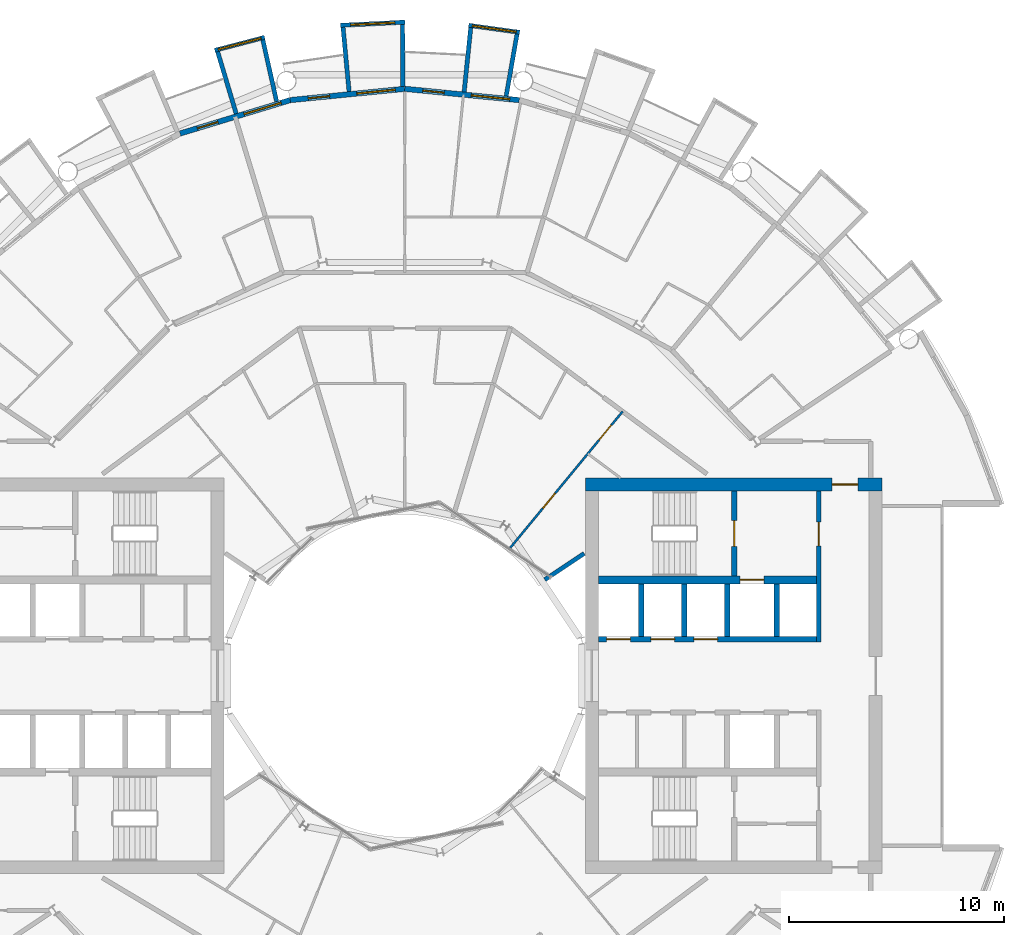
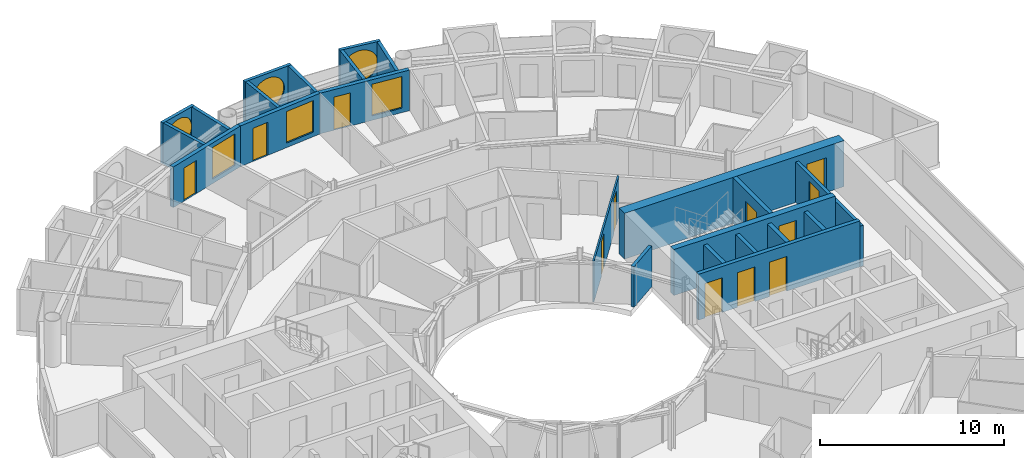
# One storey, part 21 of 27: 23 walls, 12 doors, 6 windows, 18 openings.
"""IFC4 building model written with IfcOpenShell, lengths in metres."""

from ifc_helpers import new_model, si_unit, direction, frame, frame_2d, origin, place, context, subcontext, project, spatial, rectangle, circle, extrude, material, layer, layer_set, type_object, element, fill, save


model = new_model("IFC4")

# Units and contexts
model_context = context("Model", 3, precision=1e-05, world=origin(), true_north=direction((0.0, 1.0)))
body_context = subcontext(model_context, "Body", "Model", "MODEL_VIEW")
ifc_project = project(units=[si_unit("LENGTHUNIT", "METRE"), si_unit("AREAUNIT", "SQUARE_METRE"), si_unit("VOLUMEUNIT", "CUBIC_METRE"), si_unit("PLANEANGLEUNIT", "RADIAN"), si_unit("MASSUNIT", "GRAM", prefix="KILO")], contexts=[model_context])

# Site, building, storey
site_placement = place(None, origin())
site = spatial("IfcSite", under=ifc_project, at=site_placement, CompositionType="ELEMENT")
building_placement = place(site_placement, origin())
building = spatial("IfcBuilding", under=site, at=building_placement, Name="Maasbend Ring Residences", CompositionType="ELEMENT")
storey_placement = place(building_placement, frame((0.0, 0.0, 117.75)))
storey = spatial("IfcBuildingStorey", under=building, at=storey_placement, Name="L33", CompositionType="ELEMENT", Elevation=117.75)

# Wall, openings, doors
ifc_material_1 = material(Name="Concrete C60/75", Category="concrete")
ifc_layer_1 = layer(ifc_material_1, 0.25)
ifc_layer_set_1 = layer_set([ifc_layer_1], Name="Concrete C60/75")
wall_type_1 = type_object("IfcWallType", Name="CORE WALL 250 C60/75", PredefinedType="SHEAR", material=ifc_layer_set_1)
wall_1_placement = place(storey_placement, frame((9.0, 1.699951171875, 0.0), z_axis=(0.0, 0.0, 1.0), x_axis=(1.0, 0.0, 0.0)))
wall_1 = element("IfcWall", 1, at=wall_1_placement, inside=storey, type_object=wall_type_1, Name="L33 core E wall SPN", PredefinedType="SHEAR", context=body_context, shape_type="SweptSolid", body=[
    extrude(rectangle(XDim=10.14990234375, YDim=0.25, at=frame_2d((5.074951171875, 0.0))), origin(), (0.0, 0.0, 1.0), 3.050048828125),
])
opening_1_placement = place(wall_1_placement, frame((0.387451171875, 0.0, 0.0)))
opening_1 = element("IfcOpeningElement", 2, at=opening_1_placement, cuts=wall_1, Name="Opening LD-E3301", PredefinedType="OPENING", context=body_context, shape_type="SweptSolid", body=[
    extrude(rectangle(XDim=1.10009765625, YDim=2.300048828125, at=frame_2d((0.550048828125, 1.14990234375))), frame((0.0, 0.135009765625, 0.0), z_axis=(0.0, -1.0, 0.0), x_axis=(1.0, 0.0, 0.0)), (0.0, 0.0, 1.0), 0.27001953125),
])
opening_2_placement = place(wall_1_placement, frame((2.449951171875, 0.0, 0.0)))
opening_2 = element("IfcOpeningElement", 3, at=opening_2_placement, cuts=wall_1, Name="Opening LD-E3302", PredefinedType="OPENING", context=body_context, shape_type="SweptSolid", body=[
    extrude(rectangle(XDim=1.10009765625, YDim=2.300048828125, at=frame_2d((0.550048828125, 1.14990234375))), frame((0.0, 0.135009765625, 0.0), z_axis=(0.0, -1.0, 0.0), x_axis=(1.0, 0.0, 0.0)), (0.0, 0.0, 1.0), 0.27001953125),
])
opening_3_placement = place(wall_1_placement, frame((4.449951171875, 0.0, 0.0)))
opening_3 = element("IfcOpeningElement", 4, at=opening_3_placement, cuts=wall_1, Name="Opening LD-E3303", PredefinedType="OPENING", context=body_context, shape_type="SweptSolid", body=[
    extrude(rectangle(XDim=1.10009765625, YDim=2.300048828125, at=frame_2d((0.550048828125, 1.14990234375))), frame((0.0, 0.135009765625, 0.0), z_axis=(0.0, -1.0, 0.0), x_axis=(1.0, 0.0, 0.0)), (0.0, 0.0, 1.0), 0.27001953125),
])
ifc_material_2 = material(Name="Stainless steel 316", Category="steel")
door_type_1 = type_object("IfcDoorType", Name="LANDING DOOR 1100 X 2300 FD60", OperationType="DOUBLE_DOOR_SLIDING", PredefinedType="DOOR", material=ifc_material_2)
door_1_placement = place(opening_1_placement, origin())
door_1 = element("IfcDoor", 5, at=door_1_placement, inside=storey, type_object=door_type_1, Name="Landing door LR-E1 L33", OperationType="DOUBLE_DOOR_SLIDING", OverallHeight=2.300048828125, OverallWidth=1.10009765625, PredefinedType="DOOR", context=body_context, shape_type="SweptSolid", body=[
    extrude(rectangle(XDim=1.10009765625, YDim=2.300048828125, at=frame_2d((0.550048828125, 1.14990234375))), frame((0.0, 0.02490234375, 0.0), z_axis=(0.0, -1.0, 0.0), x_axis=(1.0, 0.0, 0.0)), (0.0, 0.0, 1.0), 0.050048828125),
])
fill(opening_1, door_1)
door_2_placement = place(opening_2_placement, origin())
door_2 = element("IfcDoor", 6, at=door_2_placement, inside=storey, type_object=door_type_1, Name="Landing door LR-E2 L33", OperationType="DOUBLE_DOOR_SLIDING", OverallHeight=2.300048828125, OverallWidth=1.10009765625, PredefinedType="DOOR", context=body_context, shape_type="SweptSolid", body=[
    extrude(rectangle(XDim=1.10009765625, YDim=2.300048828125, at=frame_2d((0.550048828125, 1.14990234375))), frame((0.0, 0.02490234375, 0.0), z_axis=(0.0, -1.0, 0.0), x_axis=(1.0, 0.0, 0.0)), (0.0, 0.0, 1.0), 0.050048828125),
])
fill(opening_2, door_2)
door_3_placement = place(opening_3_placement, origin())
door_3 = element("IfcDoor", 7, at=door_3_placement, inside=storey, type_object=door_type_1, Name="Landing door LR-E3 L33", OperationType="DOUBLE_DOOR_SLIDING", OverallHeight=2.300048828125, OverallWidth=1.10009765625, PredefinedType="DOOR", context=body_context, shape_type="SweptSolid", body=[
    extrude(rectangle(XDim=1.10009765625, YDim=2.300048828125, at=frame_2d((0.550048828125, 1.14990234375))), frame((0.0, 0.02490234375, 0.0), z_axis=(0.0, -1.0, 0.0), x_axis=(1.0, 0.0, 0.0)), (0.0, 0.0, 1.0), 0.050048828125),
])
fill(opening_3, door_3)

# Wall, opening, door
wall_2_placement = place(storey_placement, frame((15.324951171875, 4.64990234375, 0.0), z_axis=(0.0, 0.0, 1.0), x_axis=(0.0, 1.0, 0.0)))
wall_2 = element("IfcWall", 8, at=wall_2_placement, inside=storey, type_object=wall_type_1, Name="L33 core E wall STEN", PredefinedType="SHEAR", context=body_context, shape_type="SweptSolid", body=[
    extrude(rectangle(XDim=3.9501953125, YDim=0.25, at=frame_2d((1.97509765625, 0.0))), origin(), (0.0, 0.0, 1.0), 3.050048828125),
])
opening_4_placement = place(wall_2_placement, frame((1.375, 0.0, 0.0)))
opening_4 = element("IfcOpeningElement", 9, at=opening_4_placement, cuts=wall_2, Name="Opening D-E3311", PredefinedType="OPENING", context=body_context, shape_type="SweptSolid", body=[
    extrude(rectangle(XDim=1.199951171875, YDim=2.300048828125, at=frame_2d((0.60009765625, 1.14990234375))), frame((0.0, 0.135009765625, 0.0), z_axis=(0.0, -1.0, 0.0), x_axis=(1.0, 0.0, 0.0)), (0.0, 0.0, 1.0), 0.27001953125),
])
ifc_material_3 = material(Name="Steel, powder coated", Category="steel")
door_type_2 = type_object("IfcDoorType", Name="STAIR DOOR 1200 X 2300 FD60", OperationType="NOTDEFINED", PredefinedType="DOOR", material=ifc_material_3)
door_4_placement = place(opening_4_placement, origin())
door_4 = element("IfcDoor", 10, at=door_4_placement, inside=storey, type_object=door_type_2, Name="Stair door ST-E L33", OperationType="SINGLE_SWING_LEFT", OverallHeight=2.300048828125, OverallWidth=1.199951171875, PredefinedType="DOOR", context=body_context, shape_type="SweptSolid", body=[
    extrude(rectangle(XDim=1.199951171875, YDim=2.300048828125, at=frame_2d((0.60009765625, 1.14990234375))), frame((0.0, 0.02490234375, 0.0), z_axis=(0.0, -1.0, 0.0), x_axis=(1.0, 0.0, 0.0)), (0.0, 0.0, 1.0), 0.050048828125),
])
fill(opening_4, door_4)

ifc_material_4 = material(Name="Concrete C60/75", Category="concrete")
ifc_layer_2 = layer(ifc_material_4, 0.375)
ifc_layer_set_2 = layer_set([ifc_layer_2], Name="Concrete C60/75")
wall_type_2 = type_object("IfcWallType", Name="CORE WALL 375 C60/75", PredefinedType="SHEAR", material=ifc_layer_set_2)
wall_3_placement = place(storey_placement, frame((9.0, 4.46240234375, 0.0), z_axis=(0.0, 0.0, 1.0), x_axis=(1.0, 0.0, 0.0)))
wall_3 = element("IfcWall", 11, at=wall_3_placement, inside=storey, type_object=wall_type_2, Name="L33 core E wall BN", PredefinedType="SHEAR", context=body_context, shape_type="SweptSolid", body=[
    extrude(rectangle(XDim=10.14990234375, YDim=0.375, at=frame_2d((5.074951171875, 0.0))), origin(), (0.0, 0.0, 1.0), 3.050048828125),
])
opening_5_placement = place(wall_3_placement, frame((6.60009765625, 0.0, 0.0)))
opening_5 = element("IfcOpeningElement", 12, at=opening_5_placement, cuts=wall_3, Name="Opening LD-E3304", PredefinedType="OPENING", context=body_context, shape_type="SweptSolid", body=[
    extrude(rectangle(XDim=1.10009765625, YDim=2.300048828125, at=frame_2d((0.550048828125, 1.14990234375))), frame((0.0, 0.197509765625, 0.0), z_axis=(0.0, -1.0, 0.0), x_axis=(1.0, 0.0, 0.0)), (0.0, 0.0, 1.0), 0.39501953125),
])
door_5_placement = place(opening_5_placement, origin())
door_5 = element("IfcDoor", 13, at=door_5_placement, inside=storey, type_object=door_type_1, Name="Landing door FF-E L33", OperationType="DOUBLE_DOOR_SLIDING", OverallHeight=2.300048828125, OverallWidth=1.10009765625, PredefinedType="DOOR", context=body_context, shape_type="SweptSolid", body=[
    extrude(rectangle(XDim=1.10009765625, YDim=2.300048828125, at=frame_2d((0.550048828125, 1.14990234375))), frame((0.0, 0.02490234375, 0.0), z_axis=(0.0, -1.0, 0.0), x_axis=(1.0, 0.0, 0.0)), (0.0, 0.0, 1.0), 0.050048828125),
])
fill(opening_5, door_5)

ifc_material_5 = material(Name="Concrete C60/75", Category="concrete")
ifc_layer_3 = layer(ifc_material_5, 0.60009765625)
ifc_layer_set_3 = layer_set([ifc_layer_3], Name="Concrete C60/75")
wall_type_3 = type_object("IfcWallType", Name="CORE WALL 600 C60/75", PredefinedType="SHEAR", material=ifc_layer_set_3)
wall_4_placement = place(storey_placement, frame((22.199951171875, 8.89990234375, 0.0), z_axis=(0.0, 0.0, 1.0), x_axis=(-1.0, 0.0, 0.0)))
wall_4 = element("IfcWall", 14, at=wall_4_placement, inside=storey, type_object=wall_type_3, Name="L33 core E wall PN", PredefinedType="SHEAR", context=body_context, shape_type="SweptSolid", body=[
    extrude(rectangle(XDim=13.800048828125, YDim=0.60009765625, at=frame_2d((6.89990234375, 0.0))), origin(), (0.0, 0.0, 1.0), 3.050048828125),
])
opening_6_placement = place(wall_4_placement, frame((1.125, 0.0, 0.0)))
opening_6 = element("IfcOpeningElement", 15, at=opening_6_placement, cuts=wall_4, Name="Opening D-E3315", PredefinedType="OPENING", context=body_context, shape_type="SweptSolid", body=[
    extrude(rectangle(XDim=1.199951171875, YDim=2.300048828125, at=frame_2d((0.60009765625, 1.14990234375))), frame((0.0, 0.31005859375, 0.0), z_axis=(0.0, -1.0, 0.0), x_axis=(1.0, 0.0, 0.0)), (0.0, 0.0, 1.0), 0.6201171875),
])
ifc_material_6 = material(Name="Steel, powder coated", Category="steel")
door_type_3 = type_object("IfcDoorType", Name="CORRIDOR DOOR 1200 X 2300 FD30S", OperationType="NOTDEFINED", PredefinedType="DOOR", material=ifc_material_6)
door_6_placement = place(opening_6_placement, origin())
door_6 = element("IfcDoor", 16, at=door_6_placement, inside=storey, type_object=door_type_3, Name="Corridor door L33", OperationType="SINGLE_SWING_RIGHT", OverallHeight=2.300048828125, OverallWidth=1.199951171875, PredefinedType="DOOR", context=body_context, shape_type="SweptSolid", body=[
    extrude(rectangle(XDim=1.199951171875, YDim=2.300048828125, at=frame_2d((0.60009765625, 1.14990234375))), frame((0.0, 0.02490234375, 0.0), z_axis=(0.0, -1.0, 0.0), x_axis=(1.0, 0.0, 0.0)), (0.0, 0.0, 1.0), 0.050048828125),
])
fill(opening_6, door_6)

# Wall, opening, window
ifc_material_7 = material(Name="Pale anodised aluminium panel", Category="aluminium")
ifc_layer_4 = layer(ifc_material_7, 0.199951171875)
ifc_layer_set_4 = layer_set([ifc_layer_4], Name="EW-BOX")
wall_type_4 = type_object("IfcWallType", Name="EW-BOX", PredefinedType="SOLIDWALL", material=ifc_layer_set_4)
wall_5_placement = place(storey_placement, frame((5.344970703125, 29.927001953125, -0.030029296875), z_axis=(0.0, 0.0, 1.0), x_axis=(-0.99061207328, 0.136703036805, 0.0)))
wall_5 = element("IfcWall", 17, at=wall_5_placement, inside=storey, type_object=wall_type_4, Name="Box front N09", PredefinedType="SOLIDWALL", context=body_context, shape_type="SweptSolid", body=[
    extrude(rectangle(XDim=2.391357421875, YDim=0.199951171875, at=frame_2d((1.19580078125, 0.0))), origin(), (0.0, 0.0, 1.0), 2.72998046875),
])
opening_7_placement = place(wall_5_placement, frame((0.15576171875, 0.0, 0.330078125)))
opening_7 = element("IfcOpeningElement", 18, at=opening_7_placement, cuts=wall_5, Name="Opening W-RD", PredefinedType="OPENING", context=body_context, shape_type="SweptSolid", body=[
    extrude(circle(Radius=1.0400390625, at=frame_2d((1.0400390625, 1.0400390625))), frame((0.0, 0.10986328125, 0.0), z_axis=(0.0, -1.0, 0.0), x_axis=(1.0, 0.0, 0.0)), (0.0, 0.0, 1.0), 0.219970703125),
])
ifc_material_8 = material(Name="Aluminium and clear glass", Category="aluminium")
window_type_1 = type_object("IfcWindowType", Name="W-RD", PartitioningType="SINGLE_PANEL", PredefinedType="WINDOW", material=ifc_material_8)
window_1_placement = place(opening_7_placement, origin())
window_1 = element("IfcWindow", 19, at=window_1_placement, inside=storey, type_object=window_type_1, Name="Round window N09", OverallHeight=2.080078125, OverallWidth=2.080078125, PartitioningType="SINGLE_PANEL", PredefinedType="WINDOW", context=body_context, shape_type="SweptSolid", body=[
    extrude(circle(Radius=1.0400390625, at=frame_2d((1.0400390625, 1.0400390625))), frame((0.0, 0.030029296875, 0.0), z_axis=(0.0, -1.0, 0.0), x_axis=(1.0, 0.0, 0.0)), (0.0, 0.0, 1.0), 0.06005859375),
])
fill(opening_7, window_1)

# Walls
wall_6_placement = place(storey_placement, frame((4.719970703125, 26.9609375, -0.030029296875), z_axis=(0.0, 0.0, 1.0), x_axis=(0.172463232037, 0.98501595601, 0.0)))
element("IfcWall", 20, at=wall_6_placement, inside=storey, type_object=wall_type_4, Name="Box side wall N09 left", PredefinedType="SOLIDWALL", context=body_context, shape_type="SweptSolid", body=[
    extrude(rectangle(XDim=2.928955078125, YDim=0.199951171875, at=frame_2d((1.46435546875, 0.0))), origin(), (0.0, 0.0, 1.0), 2.72998046875),
])
wall_7_placement = place(storey_placement, frame((2.763916015625, 27.153076171875, -0.030029296875), z_axis=(0.0, 0.0, 1.0), x_axis=(0.101505487237, 0.994834979311, 0.0)))
element("IfcWall", 21, at=wall_7_placement, inside=storey, type_object=wall_type_4, Name="Box side wall N09 right", PredefinedType="SOLIDWALL", context=body_context, shape_type="SweptSolid", body=[
    extrude(rectangle(XDim=3.006591796875, YDim=0.199951171875, at=frame_2d((1.50341796875, 0.0))), origin(), (0.0, 0.0, 1.0), 2.72998046875),
])

# Wall, opening, window
wall_8_placement = place(storey_placement, frame((0.0048828125, 30.39990234375, -0.030029296875), z_axis=(0.0, 0.0, 1.0), x_axis=(-0.998794083011, -0.049095618353, 0.0)))
wall_8 = element("IfcWall", 22, at=wall_8_placement, inside=storey, type_object=wall_type_4, Name="Box front N11", PredefinedType="SOLIDWALL", context=body_context, shape_type="SweptSolid", body=[
    extrude(rectangle(XDim=2.99365234375, YDim=0.199951171875, at=frame_2d((1.496826171875, 0.0))), origin(), (0.0, 0.0, 1.0), 2.72998046875),
])
opening_8_placement = place(wall_8_placement, frame((0.45654296875, 0.0, 0.330078125)))
opening_8 = element("IfcOpeningElement", 23, at=opening_8_placement, cuts=wall_8, Name="Opening W-RD", PredefinedType="OPENING", context=body_context, shape_type="SweptSolid", body=[
    extrude(circle(Radius=1.0400390625, at=frame_2d((1.0400390625, 1.0400390625))), frame((0.0, 0.10986328125, 0.0), z_axis=(0.0, -1.0, 0.0), x_axis=(1.0, 0.0, 0.0)), (0.0, 0.0, 1.0), 0.219970703125),
])
window_2_placement = place(opening_8_placement, origin())
window_2 = element("IfcWindow", 24, at=window_2_placement, inside=storey, type_object=window_type_1, Name="Round window N11", OverallHeight=2.080078125, OverallWidth=2.080078125, PartitioningType="SINGLE_PANEL", PredefinedType="WINDOW", context=body_context, shape_type="SweptSolid", body=[
    extrude(circle(Radius=1.0400390625, at=frame_2d((1.0400390625, 1.0400390625))), frame((0.0, 0.030029296875, 0.0), z_axis=(0.0, -1.0, 0.0), x_axis=(1.0, 0.0, 0.0)), (0.0, 0.0, 1.0), 0.06005859375),
])
fill(opening_8, window_2)

# Walls
wall_9_placement = place(storey_placement, frame((-0.090087890625, 27.4169921875, -0.030029296875), z_axis=(0.0, 0.0, 1.0), x_axis=(-0.00347308367, 0.999993968827, 0.0)))
element("IfcWall", 25, at=wall_9_placement, inside=storey, type_object=wall_type_4, Name="Box side wall N11 left", PredefinedType="SOLIDWALL", context=body_context, shape_type="SweptSolid", body=[
    extrude(rectangle(XDim=2.882080078125, YDim=0.199951171875, at=frame_2d((1.44091796875, 0.0))), origin(), (0.0, 0.0, 1.0), 2.72998046875),
])
wall_10_placement = place(storey_placement, frame((-2.5859375, 27.1708984375, -0.030029296875), z_axis=(0.0, 0.0, 1.0), x_axis=(-0.094548432284, 0.995520262954, 0.0)))
element("IfcWall", 26, at=wall_10_placement, inside=storey, type_object=wall_type_4, Name="Box side wall N11 right", PredefinedType="SOLIDWALL", context=body_context, shape_type="SweptSolid", body=[
    extrude(rectangle(XDim=3.005615234375, YDim=0.199951171875, at=frame_2d((1.5029296875, 0.0))), origin(), (0.0, 0.0, 1.0), 2.72998046875),
])

# Wall, opening, window
wall_11_placement = place(storey_placement, frame((-6.514892578125, 29.694091796875, -0.030029296875), z_axis=(0.0, 0.0, 1.0), x_axis=(-0.967554339146, -0.252663018266, 0.0)))
wall_11 = element("IfcWall", 27, at=wall_11_placement, inside=storey, type_object=wall_type_4, Name="Box front N13", PredefinedType="SOLIDWALL", context=body_context, shape_type="SweptSolid", body=[
    extrude(rectangle(XDim=2.390625, YDim=0.199951171875, at=frame_2d((1.1953125, 0.0))), origin(), (0.0, 0.0, 1.0), 2.72998046875),
])
opening_9_placement = place(wall_11_placement, frame((0.15576171875, 0.0, 0.330078125)))
opening_9 = element("IfcOpeningElement", 28, at=opening_9_placement, cuts=wall_11, Name="Opening W-RD", PredefinedType="OPENING", context=body_context, shape_type="SweptSolid", body=[
    extrude(circle(Radius=1.0400390625, at=frame_2d((1.0400390625, 1.0400390625))), frame((0.0, 0.10986328125, 0.0), z_axis=(0.0, -1.0, 0.0), x_axis=(1.0, 0.0, 0.0)), (0.0, 0.0, 1.0), 0.219970703125),
])
window_3_placement = place(opening_9_placement, origin())
window_3 = element("IfcWindow", 29, at=window_3_placement, inside=storey, type_object=window_type_1, Name="Round window N13", OverallHeight=2.080078125, OverallWidth=2.080078125, PartitioningType="SINGLE_PANEL", PredefinedType="WINDOW", context=body_context, shape_type="SweptSolid", body=[
    extrude(circle(Radius=1.0400390625, at=frame_2d((1.0400390625, 1.0400390625))), frame((0.0, 0.030029296875, 0.0), z_axis=(0.0, -1.0, 0.0), x_axis=(1.0, 0.0, 0.0)), (0.0, 0.0, 1.0), 0.06005859375),
])
fill(opening_9, window_3)

# Walls
wall_12_placement = place(storey_placement, frame((-5.95703125, 26.715087890625, -0.030029296875), z_axis=(0.0, 0.0, 1.0), x_axis=(-0.217857287091, 0.975980636315, 0.0)))
element("IfcWall", 30, at=wall_12_placement, inside=storey, type_object=wall_type_4, Name="Box side wall N13 left", PredefinedType="SOLIDWALL", context=body_context, shape_type="SweptSolid", body=[
    extrude(rectangle(XDim=2.92822265625, YDim=0.199951171875, at=frame_2d((1.464111328125, 0.0))), origin(), (0.0, 0.0, 1.0), 2.72998046875),
])
wall_13_placement = place(storey_placement, frame((-7.8369140625, 26.14404296875, -0.030029296875), z_axis=(0.0, 0.0, 1.0), x_axis=(-0.287064767992, 0.957911174889, 0.0)))
element("IfcWall", 31, at=wall_13_placement, inside=storey, type_object=wall_type_4, Name="Box side wall N13 right", PredefinedType="SOLIDWALL", context=body_context, shape_type="SweptSolid", body=[
    extrude(rectangle(XDim=3.00634765625, YDim=0.199951171875, at=frame_2d((1.503173828125, 0.0))), origin(), (0.0, 0.0, 1.0), 2.72998046875),
])

# Wall, openings, door, window
ifc_material_9 = material(Name="Aluminium clad insulated panel", Category="aluminium")
ifc_layer_5 = layer(ifc_material_9, 0.25)
ifc_layer_set_5 = layer_set([ifc_layer_5], Name="EW-GL")
wall_type_5 = type_object("IfcWallType", Name="EW-GL", PredefinedType="SOLIDWALL", material=ifc_layer_set_5)
wall_14_placement = place(storey_placement, frame((5.325927734375, 26.77490234375, 0.0), z_axis=(0.0, 0.0, 1.0), x_axis=(-0.995173996315, 0.098126026407, 0.0)))
wall_14 = element("IfcWall", 32, at=wall_14_placement, inside=storey, type_object=wall_type_5, Name="External wall N05", PredefinedType="SOLIDWALL", context=body_context, shape_type="SweptSolid", body=[
    extrude(rectangle(XDim=5.351806640625, YDim=0.25, at=frame_2d((2.67578125, 0.0))), origin(), (0.0, 0.0, 1.0), 2.699951171875),
])
opening_10_placement = place(wall_14_placement, frame((0.441162109375, 0.0, 0.300048828125)))
opening_10 = element("IfcOpeningElement", 33, at=opening_10_placement, cuts=wall_14, Name="Opening W-BX", PredefinedType="OPENING", context=body_context, shape_type="SweptSolid", body=[
    extrude(rectangle(XDim=1.800048828125, YDim=2.10009765625, at=frame_2d((0.89990234375, 1.050048828125))), frame((0.0, 0.135009765625, 0.0), z_axis=(0.0, -1.0, 0.0), x_axis=(1.0, 0.0, 0.0)), (0.0, 0.0, 1.0), 0.27001953125),
])
opening_11_placement = place(wall_14_placement, frame((3.510498046875, 0.0, 0.0)))
opening_11 = element("IfcOpeningElement", 34, at=opening_11_placement, cuts=wall_14, Name="Opening D-LG", PredefinedType="OPENING", context=body_context, shape_type="SweptSolid", body=[
    extrude(rectangle(XDim=1.0, YDim=2.199951171875, at=frame_2d((0.5, 1.10009765625))), frame((0.0, 0.135009765625, 0.0), z_axis=(0.0, -1.0, 0.0), x_axis=(1.0, 0.0, 0.0)), (0.0, 0.0, 1.0), 0.27001953125),
])
ifc_material_10 = material(Name="Aluminium and clear glass", Category="aluminium")
door_type_4 = type_object("IfcDoorType", Name="D-LG", OperationType="SINGLE_SWING_LEFT", PredefinedType="DOOR", material=ifc_material_10)
door_7_placement = place(opening_11_placement, origin())
door_7 = element("IfcDoor", 35, at=door_7_placement, inside=storey, type_object=door_type_4, Name="Loggia door N10", OperationType="SINGLE_SWING_LEFT", OverallHeight=2.199951171875, OverallWidth=1.0, PredefinedType="DOOR", context=body_context, shape_type="SweptSolid", body=[
    extrude(rectangle(XDim=1.0, YDim=2.199951171875, at=frame_2d((0.5, 1.10009765625))), frame((0.0, 0.02490234375, 0.0), z_axis=(0.0, -1.0, 0.0), x_axis=(1.0, 0.0, 0.0)), (0.0, 0.0, 1.0), 0.050048828125),
])
fill(opening_11, door_7)
ifc_material_11 = material(Name="Aluminium and clear glass", Category="aluminium")
window_type_2 = type_object("IfcWindowType", Name="W-BX", PartitioningType="DOUBLE_PANEL_VERTICAL", PredefinedType="WINDOW", material=ifc_material_11)
window_4_placement = place(opening_10_placement, origin())
window_4 = element("IfcWindow", 36, at=window_4_placement, inside=storey, type_object=window_type_2, Name="Window N09 room to box", OverallHeight=2.10009765625, OverallWidth=1.800048828125, PartitioningType="SINGLE_PANEL", PredefinedType="WINDOW", context=body_context, shape_type="SweptSolid", body=[
    extrude(rectangle(XDim=1.800048828125, YDim=2.10009765625, at=frame_2d((0.89990234375, 1.050048828125))), frame((0.0, 0.030029296875, 0.0), z_axis=(0.0, -1.0, 0.0), x_axis=(1.0, 0.0, 0.0)), (0.0, 0.0, 1.0), 0.06005859375),
])
fill(opening_10, window_4)

wall_15_placement = place(storey_placement, frame((0.0, 27.300048828125, 0.0), z_axis=(0.0, 0.0, 1.0), x_axis=(-0.995173996315, -0.098126026407, 0.0)))
wall_15 = element("IfcWall", 37, at=wall_15_placement, inside=storey, type_object=wall_type_5, Name="External wall N06", PredefinedType="SOLIDWALL", context=body_context, shape_type="SweptSolid", body=[
    extrude(rectangle(XDim=5.351806640625, YDim=0.25, at=frame_2d((2.67578125, 0.0))), origin(), (0.0, 0.0, 1.0), 2.699951171875),
])
opening_12_placement = place(wall_15_placement, frame((0.441162109375, 0.0, 0.300048828125)))
opening_12 = element("IfcOpeningElement", 38, at=opening_12_placement, cuts=wall_15, Name="Opening W-BX", PredefinedType="OPENING", context=body_context, shape_type="SweptSolid", body=[
    extrude(rectangle(XDim=1.800048828125, YDim=2.10009765625, at=frame_2d((0.89990234375, 1.050048828125))), frame((0.0, 0.135009765625, 0.0), z_axis=(0.0, -1.0, 0.0), x_axis=(1.0, 0.0, 0.0)), (0.0, 0.0, 1.0), 0.27001953125),
])
opening_13_placement = place(wall_15_placement, frame((3.510498046875, 0.0, 0.0)))
opening_13 = element("IfcOpeningElement", 39, at=opening_13_placement, cuts=wall_15, Name="Opening D-LG", PredefinedType="OPENING", context=body_context, shape_type="SweptSolid", body=[
    extrude(rectangle(XDim=1.0, YDim=2.199951171875, at=frame_2d((0.5, 1.10009765625))), frame((0.0, 0.135009765625, 0.0), z_axis=(0.0, -1.0, 0.0), x_axis=(1.0, 0.0, 0.0)), (0.0, 0.0, 1.0), 0.27001953125),
])
door_8_placement = place(opening_13_placement, origin())
door_8 = element("IfcDoor", 40, at=door_8_placement, inside=storey, type_object=door_type_4, Name="Loggia door N12", OperationType="SINGLE_SWING_LEFT", OverallHeight=2.199951171875, OverallWidth=1.0, PredefinedType="DOOR", context=body_context, shape_type="SweptSolid", body=[
    extrude(rectangle(XDim=1.0, YDim=2.199951171875, at=frame_2d((0.5, 1.10009765625))), frame((0.0, 0.02490234375, 0.0), z_axis=(0.0, -1.0, 0.0), x_axis=(1.0, 0.0, 0.0)), (0.0, 0.0, 1.0), 0.050048828125),
])
fill(opening_13, door_8)
window_5_placement = place(opening_12_placement, origin())
window_5 = element("IfcWindow", 41, at=window_5_placement, inside=storey, type_object=window_type_2, Name="Window N11 room to box", OverallHeight=2.10009765625, OverallWidth=1.800048828125, PartitioningType="SINGLE_PANEL", PredefinedType="WINDOW", context=body_context, shape_type="SweptSolid", body=[
    extrude(rectangle(XDim=1.800048828125, YDim=2.10009765625, at=frame_2d((0.89990234375, 1.050048828125))), frame((0.0, 0.030029296875, 0.0), z_axis=(0.0, -1.0, 0.0), x_axis=(1.0, 0.0, 0.0)), (0.0, 0.0, 1.0), 0.06005859375),
])
fill(opening_12, window_5)

wall_16_placement = place(storey_placement, frame((-5.325927734375, 26.77490234375, 0.0), z_axis=(0.0, 0.0, 1.0), x_axis=(-0.956965678721, -0.290201119486, 0.0)))
wall_16 = element("IfcWall", 42, at=wall_16_placement, inside=storey, type_object=wall_type_5, Name="External wall N07", PredefinedType="SOLIDWALL", context=body_context, shape_type="SweptSolid", body=[
    extrude(rectangle(XDim=5.351318359375, YDim=0.25, at=frame_2d((2.67578125, 0.0))), origin(), (0.0, 0.0, 1.0), 2.699951171875),
])
opening_14_placement = place(wall_16_placement, frame((0.441162109375, 0.0, 0.300048828125)))
opening_14 = element("IfcOpeningElement", 43, at=opening_14_placement, cuts=wall_16, Name="Opening W-BX", PredefinedType="OPENING", context=body_context, shape_type="SweptSolid", body=[
    extrude(rectangle(XDim=1.800048828125, YDim=2.10009765625, at=frame_2d((0.89990234375, 1.050048828125))), frame((0.0, 0.135009765625, 0.0), z_axis=(0.0, -1.0, 0.0), x_axis=(1.0, 0.0, 0.0)), (0.0, 0.0, 1.0), 0.27001953125),
])
opening_15_placement = place(wall_16_placement, frame((3.510498046875, 0.0, 0.0)))
opening_15 = element("IfcOpeningElement", 44, at=opening_15_placement, cuts=wall_16, Name="Opening D-LG", PredefinedType="OPENING", context=body_context, shape_type="SweptSolid", body=[
    extrude(rectangle(XDim=1.0, YDim=2.199951171875, at=frame_2d((0.5, 1.10009765625))), frame((0.0, 0.135009765625, 0.0), z_axis=(0.0, -1.0, 0.0), x_axis=(1.0, 0.0, 0.0)), (0.0, 0.0, 1.0), 0.27001953125),
])
door_9_placement = place(opening_15_placement, origin())
door_9 = element("IfcDoor", 45, at=door_9_placement, inside=storey, type_object=door_type_4, Name="Loggia door N14", OperationType="SINGLE_SWING_LEFT", OverallHeight=2.199951171875, OverallWidth=1.0, PredefinedType="DOOR", context=body_context, shape_type="SweptSolid", body=[
    extrude(rectangle(XDim=1.0, YDim=2.199951171875, at=frame_2d((0.5, 1.10009765625))), frame((0.0, 0.02490234375, 0.0), z_axis=(0.0, -1.0, 0.0), x_axis=(1.0, 0.0, 0.0)), (0.0, 0.0, 1.0), 0.050048828125),
])
fill(opening_15, door_9)
window_6_placement = place(opening_14_placement, origin())
window_6 = element("IfcWindow", 46, at=window_6_placement, inside=storey, type_object=window_type_2, Name="Window N13 room to box", OverallHeight=2.10009765625, OverallWidth=1.800048828125, PartitioningType="SINGLE_PANEL", PredefinedType="WINDOW", context=body_context, shape_type="SweptSolid", body=[
    extrude(rectangle(XDim=1.800048828125, YDim=2.10009765625, at=frame_2d((0.89990234375, 1.050048828125))), frame((0.0, 0.030029296875, 0.0), z_axis=(0.0, -1.0, 0.0), x_axis=(1.0, 0.0, 0.0)), (0.0, 0.0, 1.0), 0.06005859375),
])
fill(opening_14, window_6)

# Wall, openings, doors
ifc_material_12 = material(Name="Gypsum board on steel studs", Category="steel")
ifc_layer_6 = layer(ifc_material_12, 0.10009765625)
ifc_layer_set_6 = layer_set([ifc_layer_6], Name="PARTITION 100 GYPSUM")
wall_type_6 = type_object("IfcWallType", Name="PARTITION 100 GYPSUM", PredefinedType="PARTITIONING", material=ifc_layer_set_6)
wall_17_placement = place(storey_placement, frame((4.908935546875, 5.9580078125, 0.0), z_axis=(0.0, 0.0, 1.0), x_axis=(0.635976043025, 0.771708800454, 0.0)))
wall_17 = element("IfcWall", 47, at=wall_17_placement, inside=storey, type_object=wall_type_6, Name="U-L33-w065", PredefinedType="PARTITIONING", context=body_context, shape_type="SweptSolid", body=[
    extrude(rectangle(XDim=8.212890625, YDim=0.10009765625, at=frame_2d((4.1064453125, 0.0))), origin(), (0.0, 0.0, 1.0), 2.699951171875),
])
opening_16_placement = place(wall_17_placement, frame((6.489990234375, 0.0, 0.0)))
opening_16 = element("IfcOpeningElement", 48, at=opening_16_placement, cuts=wall_17, Name="Opening D-3323", PredefinedType="OPENING", context=body_context, shape_type="SweptSolid", body=[
    extrude(rectangle(XDim=0.89990234375, YDim=2.300048828125, at=frame_2d((0.449951171875, 1.14990234375))), frame((0.0, 0.06005859375, 0.0), z_axis=(0.0, -1.0, 0.0), x_axis=(1.0, 0.0, 0.0)), (0.0, 0.0, 1.0), 0.1201171875),
])
opening_17_placement = place(wall_17_placement, frame((2.384033203125, 0.0, 0.0)))
opening_17 = element("IfcOpeningElement", 49, at=opening_17_placement, cuts=wall_17, Name="Opening D-3324", PredefinedType="OPENING", context=body_context, shape_type="SweptSolid", body=[
    extrude(rectangle(XDim=0.89990234375, YDim=2.300048828125, at=frame_2d((0.449951171875, 1.14990234375))), frame((0.0, 0.06005859375, 0.0), z_axis=(0.0, -1.0, 0.0), x_axis=(1.0, 0.0, 0.0)), (0.0, 0.0, 1.0), 0.1201171875),
])
ifc_material_13 = material(Name="Timber, painted", Category="wood")
door_type_5 = type_object("IfcDoorType", Name="INTERNAL DOOR 900 X 2300", OperationType="NOTDEFINED", PredefinedType="DOOR", material=ifc_material_13)
door_10_placement = place(opening_16_placement, origin())
door_10 = element("IfcDoor", 50, at=door_10_placement, inside=storey, type_object=door_type_5, Name="D-3323", OperationType="SINGLE_SWING_RIGHT", OverallHeight=2.300048828125, OverallWidth=0.89990234375, PredefinedType="DOOR", context=body_context, shape_type="SweptSolid", body=[
    extrude(rectangle(XDim=0.89990234375, YDim=2.300048828125, at=frame_2d((0.449951171875, 1.14990234375))), frame((0.0, 0.02490234375, 0.0), z_axis=(0.0, -1.0, 0.0), x_axis=(1.0, 0.0, 0.0)), (0.0, 0.0, 1.0), 0.050048828125),
])
fill(opening_16, door_10)
door_11_placement = place(opening_17_placement, origin())
door_11 = element("IfcDoor", 51, at=door_11_placement, inside=storey, type_object=door_type_5, Name="D-3324", OperationType="SINGLE_SWING_LEFT", OverallHeight=2.300048828125, OverallWidth=0.89990234375, PredefinedType="DOOR", context=body_context, shape_type="SweptSolid", body=[
    extrude(rectangle(XDim=0.89990234375, YDim=2.300048828125, at=frame_2d((0.449951171875, 1.14990234375))), frame((0.0, 0.02490234375, 0.0), z_axis=(0.0, -1.0, 0.0), x_axis=(1.0, 0.0, 0.0)), (0.0, 0.0, 1.0), 0.050048828125),
])
fill(opening_17, door_11)

# Wall
ifc_material_14 = material(Name="Concrete C30/37", Category="concrete")
ifc_layer_7 = layer(ifc_material_14, 0.199951171875)
ifc_layer_set_7 = layer_set([ifc_layer_7], Name="Concrete C30/37")
wall_type_7 = type_object("IfcWallType", Name="PARTY WALL 200 CONCRETE", PredefinedType="PARTITIONING", material=ifc_layer_set_7)
wall_18_placement = place(storey_placement, frame((6.512939453125, 4.471923828125, 0.0), z_axis=(0.0, 0.0, 1.0), x_axis=(0.831333375071, 0.555774072347, 0.0)))
element("IfcWall", 52, at=wall_18_placement, inside=storey, type_object=wall_type_7, Name="U-L33-w084", PredefinedType="PARTITIONING", context=body_context, shape_type="SweptSolid", body=[
    extrude(rectangle(XDim=2.20263671875, YDim=0.199951171875, at=frame_2d((1.101318359375, 0.0))), origin(), (0.0, 0.0, 1.0), 2.699951171875),
])

# Wall, opening, door
ifc_material_15 = material(Name="Concrete C30/37", Category="concrete")
ifc_layer_8 = layer(ifc_material_15, 0.199951171875)
ifc_layer_set_8 = layer_set([ifc_layer_8], Name="Concrete C30/37")
wall_type_8 = type_object("IfcWallType", Name="SHAFT WALL 200 EI 120", PredefinedType="SOLIDWALL", material=ifc_layer_set_8)
wall_19_placement = place(storey_placement, frame((19.25, 1.574951171875, 0.0), z_axis=(0.0, 0.0, 1.0), x_axis=(0.0, 1.0, 0.0)))
wall_19 = element("IfcWall", 53, at=wall_19_placement, inside=storey, type_object=wall_type_8, Name="L33 core E wall ENDN", PredefinedType="SOLIDWALL", context=body_context, shape_type="SweptSolid", body=[
    extrude(rectangle(XDim=7.025146484375, YDim=0.199951171875, at=frame_2d((3.5126953125, 0.0))), origin(), (0.0, 0.0, 1.0), 2.699951171875),
])
opening_18_placement = place(wall_19_placement, frame((4.47509765625, 0.0, 0.0)))
opening_18 = element("IfcOpeningElement", 54, at=opening_18_placement, cuts=wall_19, Name="Opening D-E3313", PredefinedType="OPENING", context=body_context, shape_type="SweptSolid", body=[
    extrude(rectangle(XDim=1.10009765625, YDim=2.300048828125, at=frame_2d((0.550048828125, 1.14990234375))), frame((0.0, 0.10986328125, 0.0), z_axis=(0.0, -1.0, 0.0), x_axis=(1.0, 0.0, 0.0)), (0.0, 0.0, 1.0), 0.219970703125),
])
ifc_material_16 = material(Name="Steel, powder coated", Category="steel")
door_type_6 = type_object("IfcDoorType", Name="LOBBY DOOR 1100 X 2300 FD60", OperationType="NOTDEFINED", PredefinedType="DOOR", material=ifc_material_16)
door_12_placement = place(opening_18_placement, origin())
door_12 = element("IfcDoor", 55, at=door_12_placement, inside=storey, type_object=door_type_6, Name="Lobby door L33", OperationType="SINGLE_SWING_LEFT", OverallHeight=2.300048828125, OverallWidth=1.10009765625, PredefinedType="DOOR", context=body_context, shape_type="SweptSolid", body=[
    extrude(rectangle(XDim=1.10009765625, YDim=2.300048828125, at=frame_2d((0.550048828125, 1.14990234375))), frame((0.0, 0.02490234375, 0.0), z_axis=(0.0, -1.0, 0.0), x_axis=(1.0, 0.0, 0.0)), (0.0, 0.0, 1.0), 0.050048828125),
])
fill(opening_18, door_12)

# Walls
ifc_material_17 = material(Name="Concrete C30/37", Category="concrete")
ifc_layer_9 = layer(ifc_material_17, 0.25)
ifc_layer_set_9 = layer_set([ifc_layer_9], Name="Concrete C30/37")
wall_type_9 = type_object("IfcWallType", Name="SHAFT WALL 250 EI 120", PredefinedType="SOLIDWALL", material=ifc_layer_set_9)
for number, where, z_axis, x_axis, name in (
    (56, (15.0, 1.824951171875, 0.0), (0.0, 0.0, 1.0), (0.0, 1.0, 0.0), "L33 core E wall D150N"),
    (57, (17.300048828125, 1.824951171875, 0.0), (0.0, 0.0, 1.0), (0.0, 1.0, 0.0), "L33 core E wall D173N"),
    (58, (11.0, 1.824951171875, 0.0), (0.0, 0.0, 1.0), (0.0, 1.0, 0.0), "L33 core E wall D110N"),
    (59, (13.0, 1.824951171875, 0.0), (0.0, 0.0, 1.0), (0.0, 1.0, 0.0), "L33 core E wall D130N"),
):
    element("IfcWall", number, at=place(storey_placement, frame(where, z_axis=z_axis, x_axis=x_axis)), inside=storey, type_object=wall_type_9, Name=name, PredefinedType="SOLIDWALL", context=body_context, shape_type="SweptSolid", body=[
        extrude(rectangle(XDim=2.449951171875, YDim=0.25, at=frame_2d((1.22509765625, 0.0))), origin(), (0.0, 0.0, 1.0), 2.699951171875),
    ])

save(model, "model.ifc")
